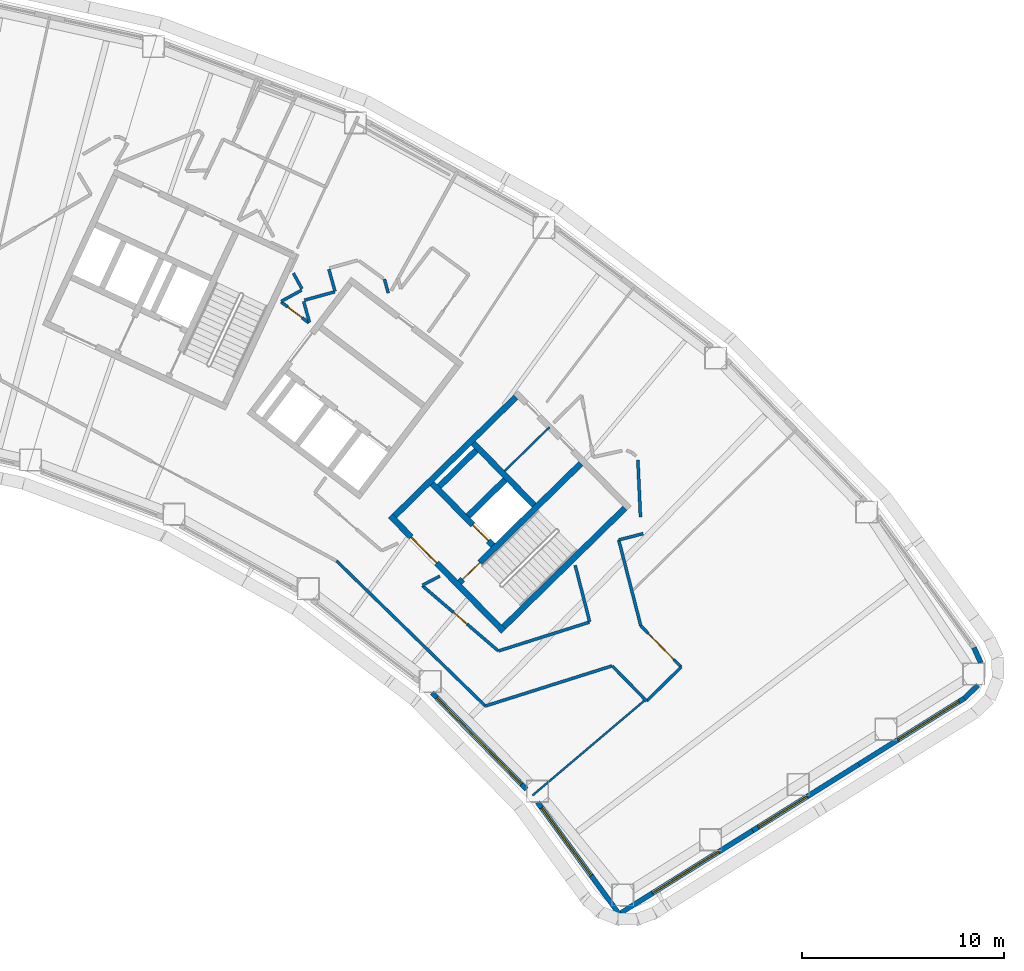
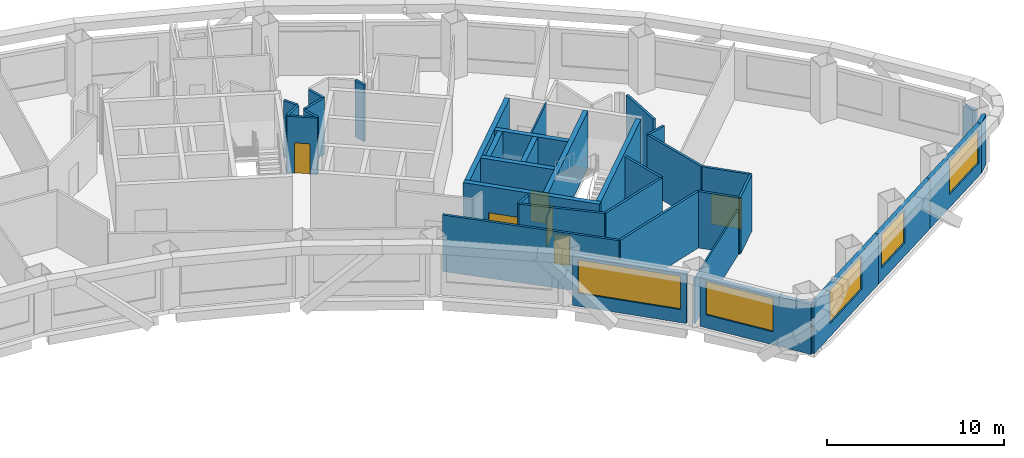
# One storey, part 7 of 16: 36 walls, 6 doors, 5 windows, 11 openings.
"""IFC4 building model written with IfcOpenShell, lengths in metres."""

from ifc_helpers import new_model, si_unit, direction, frame, frame_2d, origin, place, context, subcontext, project, spatial, rectangle, extrude, material, layer, layer_set, type_object, element, fill, save


model = new_model("IFC4")

# Units and contexts
model_context = context("Model", 3, precision=1e-05, world=origin(), true_north=direction((0.0, 1.0)))
body_context = subcontext(model_context, "Body", "Model", "MODEL_VIEW")
ifc_project = project(units=[si_unit("LENGTHUNIT", "METRE"), si_unit("AREAUNIT", "SQUARE_METRE"), si_unit("VOLUMEUNIT", "CUBIC_METRE"), si_unit("PLANEANGLEUNIT", "RADIAN"), si_unit("MASSUNIT", "GRAM", prefix="KILO")], contexts=[model_context])

# Site, building, storey
site_placement = place(None, origin())
site = spatial("IfcSite", under=ifc_project, at=site_placement, CompositionType="ELEMENT")
building_placement = place(site_placement, origin())
building = spatial("IfcBuilding", under=site, at=building_placement, Name="Tuul Gate Civic Tower", CompositionType="ELEMENT")
storey_placement = place(building_placement, frame((0.0, 0.0, 124.5)))
storey = spatial("IfcBuildingStorey", under=building, at=storey_placement, Name="Level 28", CompositionType="ELEMENT", Elevation=124.5)

# Wall, opening, door
ifc_material_1 = material(Name="Concrete C50/60", Category="concrete")
ifc_layer_1 = layer(ifc_material_1, 0.300048828125)
ifc_layer_set_1 = layer_set([ifc_layer_1], Name="Concrete C50/60")
wall_type_1 = type_object("IfcWallType", Name="Core wall C50/60", PredefinedType="SHEAR", material=ifc_layer_set_1)
wall_1_placement = place(storey_placement, frame((48.22509765625, -18.327880859375, 0.0), z_axis=(0.0, 0.0, 1.0), x_axis=(-0.700021979774, 0.714121297703, 0.0)))
wall_1 = element("IfcWall", 1, at=wall_1_placement, inside=storey, type_object=wall_type_1, Name="Core wall", PredefinedType="SHEAR", context=body_context, shape_type="SweptSolid", body=[
    extrude(rectangle(XDim=8.0, YDim=0.300048828125, at=frame_2d((4.0, 0.0))), origin(), (0.0, 0.0, 1.0), 3.89990234375),
])
opening_1_placement = place(wall_1_placement, frame((4.72509765625, 0.0, 0.0)))
opening_1 = element("IfcOpeningElement", 2, at=opening_1_placement, cuts=wall_1, Name="Opening LB-E1-LOBBY-1", PredefinedType="OPENING", context=body_context, shape_type="SweptSolid", body=[
    extrude(rectangle(XDim=1.800048828125, YDim=2.10009765625, at=frame_2d((0.89990234375, 1.050048828125))), frame((0.0, 0.16015625, 0.0), z_axis=(0.0, -1.0, 0.0), x_axis=(1.0, 0.0, 0.0)), (0.0, 0.0, 1.0), 0.320068359375),
])
ifc_material_2 = material(Name="Steel", Category="steel")
door_type_1 = type_object("IfcDoorType", Name="Lobby door", OperationType="DOUBLE_DOOR_SINGLE_SWING", PredefinedType="DOOR", material=ifc_material_2)
door_1_placement = place(opening_1_placement, frame((1.800048828125, 0.0, 0.0), z_axis=(0.0, 0.0, 1.0), x_axis=(-1.0, 0.0, 0.0)))
door_1 = element("IfcDoor", 3, at=door_1_placement, inside=storey, type_object=door_type_1, Name="Lobby door E1-LOBBY", OperationType="DOUBLE_DOOR_SINGLE_SWING", OverallHeight=2.10009765625, OverallWidth=1.800048828125, PredefinedType="DOOR", context=body_context, shape_type="SweptSolid", body=[
    extrude(rectangle(XDim=1.800048828125, YDim=2.10009765625, at=frame_2d((0.900146484375, 1.050048828125))), frame((0.0, 0.02490234375, 0.0), z_axis=(0.0, -1.0, 0.0), x_axis=(1.0, 0.0, 0.0)), (0.0, 0.0, 1.0), 0.050048828125),
])
fill(opening_1, door_1)

wall_2_placement = place(storey_placement, frame((47.701904296875, -14.079833984375, 0.0), z_axis=(0.0, 0.0, 1.0), x_axis=(-0.700002721075, 0.714140175657, 0.0)))
wall_2 = element("IfcWall", 4, at=wall_2_placement, inside=storey, type_object=wall_type_1, Name="Core wall", PredefinedType="SHEAR", context=body_context, shape_type="SweptSolid", body=[
    extrude(rectangle(XDim=4.300048828125, YDim=0.300048828125, at=frame_2d((2.14990234375, 0.0))), origin(), (0.0, 0.0, 1.0), 3.89990234375),
])
opening_2_placement = place(wall_2_placement, frame((0.324951171875, 0.0, 0.0)))
opening_2 = element("IfcOpeningElement", 5, at=opening_2_placement, cuts=wall_2, Name="Opening LD-L4", PredefinedType="OPENING", context=body_context, shape_type="SweptSolid", body=[
    extrude(rectangle(XDim=1.10009765625, YDim=2.10009765625, at=frame_2d((0.550048828125, 1.050048828125))), frame((0.0, 0.16015625, 0.0), z_axis=(0.0, -1.0, 0.0), x_axis=(1.0, 0.0, 0.0)), (0.0, 0.0, 1.0), 0.320068359375),
])
ifc_material_3 = material(Name="Stainless steel", Category="steel")
door_type_2 = type_object("IfcDoorType", Name="Landing door", OperationType="DOUBLE_DOOR_SLIDING", PredefinedType="DOOR", material=ifc_material_3)
door_2_placement = place(opening_2_placement, origin())
door_2 = element("IfcDoor", 6, at=door_2_placement, inside=storey, type_object=door_type_2, Name="Low-rise lift L4 landing door", OperationType="DOUBLE_DOOR_SLIDING", OverallHeight=2.10009765625, OverallWidth=1.10009765625, PredefinedType="DOOR", context=body_context, shape_type="SweptSolid", body=[
    extrude(rectangle(XDim=1.10009765625, YDim=2.10009765625, at=frame_2d((0.550048828125, 1.050048828125))), frame((0.0, 0.02490234375, 0.0), z_axis=(0.0, -1.0, 0.0), x_axis=(1.0, 0.0, 0.0)), (0.0, 0.0, 1.0), 0.050048828125),
])
fill(opening_2, door_2)

# Walls
wall_3_placement = place(storey_placement, frame((49.737060546875, -12.0849609375, 0.0), z_axis=(0.0, 0.0, 1.0), x_axis=(-0.700002721075, 0.714140175657, 0.0)))
element("IfcWall", 7, at=wall_3_placement, inside=storey, type_object=wall_type_1, Name="Core wall", PredefinedType="SHEAR", context=body_context, shape_type="SweptSolid", body=[
    extrude(rectangle(XDim=4.300048828125, YDim=0.300048828125, at=frame_2d((2.14990234375, 0.0))), origin(), (0.0, 0.0, 1.0), 3.89990234375),
])
wall_4_placement = place(storey_placement, frame((48.227294921875, -18.115966796875, 0.0), z_axis=(0.0, 0.0, 1.0), x_axis=(0.714105315431, 0.700038283577, 0.0)))
element("IfcWall", 8, at=wall_4_placement, inside=storey, type_object=wall_type_1, Name="Core wall", PredefinedType="SHEAR", context=body_context, shape_type="SweptSolid", body=[
    extrude(rectangle(XDim=8.400146484375, YDim=0.300048828125, at=frame_2d((4.2001953125, 0.0))), origin(), (0.0, 0.0, 1.0), 3.89990234375),
])

# Wall, opening, door
wall_5_placement = place(storey_placement, frame((46.05712890625, -15.902099609375, 0.0), z_axis=(0.0, 0.0, 1.0), x_axis=(0.714134086973, 0.700008932674, 0.0)))
wall_5 = element("IfcWall", 9, at=wall_5_placement, inside=storey, type_object=wall_type_1, Name="Core wall", PredefinedType="SHEAR", context=body_context, shape_type="SweptSolid", body=[
    extrude(rectangle(XDim=8.400146484375, YDim=0.300048828125, at=frame_2d((4.2001953125, 0.0))), origin(), (0.0, 0.0, 1.0), 3.89990234375),
])
opening_3_placement = place(wall_5_placement, frame((0.199951171875, 0.0, 0.0)))
opening_3 = element("IfcOpeningElement", 10, at=opening_3_placement, cuts=wall_5, Name="Opening SD-ST-3", PredefinedType="OPENING", context=body_context, shape_type="SweptSolid", body=[
    extrude(rectangle(XDim=1.199951171875, YDim=2.10009765625, at=frame_2d((0.60009765625, 1.050048828125))), frame((0.0, 0.16015625, 0.0), z_axis=(0.0, -1.0, 0.0), x_axis=(1.0, 0.0, 0.0)), (0.0, 0.0, 1.0), 0.320068359375),
])
ifc_material_4 = material(Name="Steel", Category="steel")
door_type_3 = type_object("IfcDoorType", Name="Stair door", OperationType="NOTDEFINED", PredefinedType="DOOR", material=ifc_material_4)
door_3_placement = place(opening_3_placement, origin())
door_3 = element("IfcDoor", 11, at=door_3_placement, inside=storey, type_object=door_type_3, Name="Stair door ST-3", OperationType="SINGLE_SWING_LEFT", OverallHeight=2.10009765625, OverallWidth=1.199951171875, PredefinedType="DOOR", context=body_context, shape_type="SweptSolid", body=[
    extrude(rectangle(XDim=1.199951171875, YDim=2.10009765625, at=frame_2d((0.60009765625, 1.050048828125))), frame((0.0, 0.02490234375, 0.0), z_axis=(0.0, -1.0, 0.0), x_axis=(1.0, 0.0, 0.0)), (0.0, 0.0, 1.0), 0.050048828125),
])
fill(opening_3, door_3)

# Walls
wall_6_placement = place(storey_placement, frame((46.47900390625, -12.617919921875, 0.0), z_axis=(0.0, 0.0, 1.0), x_axis=(0.71410944159, 0.700034074479, 0.0)))
element("IfcWall", 12, at=wall_6_placement, inside=storey, type_object=wall_type_1, Name="Core wall", PredefinedType="SHEAR", context=body_context, shape_type="SweptSolid", body=[
    extrude(rectangle(XDim=2.5498046875, YDim=0.300048828125, at=frame_2d((1.27490234375, 0.0))), origin(), (0.0, 0.0, 1.0), 3.89990234375),
])
wall_7_placement = place(storey_placement, frame((45.0439453125, -11.154052734375, 0.0), z_axis=(0.0, 0.0, 1.0), x_axis=(0.714108498262, 0.700035036773, 0.0)))
element("IfcWall", 13, at=wall_7_placement, inside=storey, type_object=wall_type_1, Name="Core wall", PredefinedType="SHEAR", context=body_context, shape_type="SweptSolid", body=[
    extrude(rectangle(XDim=2.550048828125, YDim=0.300048828125, at=frame_2d((1.27490234375, 0.0))), origin(), (0.0, 0.0, 1.0), 3.89990234375),
])
wall_8_placement = place(storey_placement, frame((42.837158203125, -12.616943359375, 0.0), z_axis=(0.0, 0.0, 1.0), x_axis=(0.714119844755, 0.700023461983, 0.0)))
element("IfcWall", 14, at=wall_8_placement, inside=storey, type_object=wall_type_1, Name="Core wall", PredefinedType="SHEAR", context=body_context, shape_type="SweptSolid", body=[
    extrude(rectangle(XDim=8.39990234375, YDim=0.300048828125, at=frame_2d((4.199951171875, 0.0))), origin(), (0.0, 0.0, 1.0), 3.89990234375),
])
ifc_material_5 = material(Name="Gypsum board partition")
ifc_layer_2 = layer(ifc_material_5, 0.14990234375)
ifc_layer_set_2 = layer_set([ifc_layer_2], Name="Gypsum board partition")
wall_type_2 = type_object("IfcWallType", Name="Corridor wall P150", PredefinedType="PARTITIONING", material=ifc_layer_set_2)
wall_9_placement = place(storey_placement, frame((53.606689453125, -20.04541015625, 0.0), z_axis=(0.0, 0.0, 1.0), x_axis=(0.700029162703, -0.71411425652, 0.0)))
element("IfcWall", 15, at=wall_9_placement, inside=storey, type_object=wall_type_2, Name="p003", PredefinedType="PARTITIONING", context=body_context, shape_type="SweptSolid", body=[
    extrude(rectangle(XDim=2.4267578125, YDim=0.14990234375, at=frame_2d((1.21337890625, 0.0))), origin(), (0.0, 0.0, 1.0), 3.89990234375),
])
wall_10_placement = place(storey_placement, frame((55.305419921875, -21.7783203125, 0.0), z_axis=(0.0, 0.0, 1.0), x_axis=(0.714090786391, 0.700053104265, 0.0)))
element("IfcWall", 16, at=wall_10_placement, inside=storey, type_object=wall_type_2, Name="p004", PredefinedType="PARTITIONING", context=body_context, shape_type="SweptSolid", body=[
    extrude(rectangle(XDim=2.400146484375, YDim=0.14990234375, at=frame_2d((1.2001953125, 0.0))), origin(), (0.0, 0.0, 1.0), 3.89990234375),
])

# Wall, opening, door
wall_11_placement = place(storey_placement, frame((55.021484375, -18.059326171875, 0.0), z_axis=(0.0, 0.0, 1.0), x_axis=(0.699885825208, -0.714254738642, 0.0)))
wall_11 = element("IfcWall", 17, at=wall_11_placement, inside=storey, type_object=wall_type_2, Name="p005", PredefinedType="PARTITIONING", context=body_context, shape_type="SweptSolid", body=[
    extrude(rectangle(XDim=2.8544921875, YDim=0.14990234375, at=frame_2d((1.42724609375, 0.0))), origin(), (0.0, 0.0, 1.0), 3.89990234375),
])
opening_4_placement = place(wall_11_placement, frame((0.52734375, 0.0, 0.0)))
opening_4 = element("IfcOpeningElement", 18, at=opening_4_placement, cuts=wall_11, Name="Opening I-D01", PredefinedType="OPENING", context=body_context, shape_type="SweptSolid", body=[
    extrude(rectangle(XDim=1.800048828125, YDim=2.10009765625, at=frame_2d((0.89990234375, 1.050048828125))), frame((0.0, 0.0849609375, 0.0), z_axis=(0.0, -1.0, 0.0), x_axis=(1.0, 0.0, 0.0)), (0.0, 0.0, 1.0), 0.169921875),
])
ifc_material_6 = material(Name="Timber door leaf, double", Category="wood")
door_type_4 = type_object("IfcDoorType", Name="Door D18", OperationType="DOUBLE_DOOR_SINGLE_SWING", PredefinedType="DOOR", material=ifc_material_6)
door_4_placement = place(opening_4_placement, origin())
door_4 = element("IfcDoor", 19, at=door_4_placement, inside=storey, type_object=door_type_4, Name="Door I-D01", OperationType="DOUBLE_DOOR_SINGLE_SWING", OverallHeight=2.10009765625, OverallWidth=1.800048828125, PredefinedType="DOOR", context=body_context, shape_type="SweptSolid", body=[
    extrude(rectangle(XDim=1.800048828125, YDim=2.10009765625, at=frame_2d((0.89990234375, 1.050048828125))), frame((0.0, 0.02490234375, 0.0), z_axis=(0.0, -1.0, 0.0), x_axis=(1.0, 0.0, 0.0)), (0.0, 0.0, 1.0), 0.050048828125),
])
fill(opening_4, door_4)

# Walls
wall_12_placement = place(storey_placement, frame((53.925048828125, -13.805908203125, 0.0), z_axis=(0.0, 0.0, 1.0), x_axis=(0.249340898123, -0.96841577668, 0.0)))
element("IfcWall", 20, at=wall_12_placement, inside=storey, type_object=wall_type_2, Name="p007", PredefinedType="PARTITIONING", context=body_context, shape_type="SweptSolid", body=[
    extrude(rectangle(XDim=4.385498046875, YDim=0.14990234375, at=frame_2d((2.19287109375, 0.0))), origin(), (0.0, 0.0, 1.0), 3.89990234375),
])
wall_13_placement = place(storey_placement, frame((53.925048828125, -13.805908203125, 0.0), z_axis=(0.0, 0.0, 1.0), x_axis=(0.968403908325, 0.249386989116, 0.0)))
element("IfcWall", 21, at=wall_13_placement, inside=storey, type_object=wall_type_2, Name="p009", PredefinedType="PARTITIONING", context=body_context, shape_type="SweptSolid", body=[
    extrude(rectangle(XDim=1.248291015625, YDim=0.14990234375, at=frame_2d((0.6240234375, 0.0))), origin(), (0.0, 0.0, 1.0), 3.89990234375),
])
wall_14_placement = place(storey_placement, frame((54.8740234375, -9.8525390625, 0.0), z_axis=(0.0, 0.0, 1.0), x_axis=(0.045149211291, -0.998980254419, 0.0)))
element("IfcWall", 22, at=wall_14_placement, inside=storey, type_object=wall_type_2, Name="p010", PredefinedType="PARTITIONING", context=body_context, shape_type="SweptSolid", body=[
    extrude(rectangle(XDim=2.828125, YDim=0.14990234375, at=frame_2d((1.4140625, 0.0))), origin(), (0.0, 0.0, 1.0), 3.89990234375),
])

# Wall, opening, door
wall_15_placement = place(storey_placement, frame((44.21533203125, -16.0771484375, 0.0), z_axis=(0.0, 0.0, 1.0), x_axis=(0.75864895936, -0.65149962123, 0.0)))
wall_15 = element("IfcWall", 23, at=wall_15_placement, inside=storey, type_object=wall_type_2, Name="p017", PredefinedType="PARTITIONING", context=body_context, shape_type="SweptSolid", body=[
    extrude(rectangle(XDim=4.9375, YDim=0.14990234375, at=frame_2d((2.46875, 0.0))), origin(), (0.0, 0.0, 1.0), 3.89990234375),
])
opening_5_placement = place(wall_15_placement, frame((2.018798828125, 0.0, 0.0)))
opening_5 = element("IfcOpeningElement", 24, at=opening_5_placement, cuts=wall_15, Name="Opening I-D24", PredefinedType="OPENING", context=body_context, shape_type="SweptSolid", body=[
    extrude(rectangle(XDim=0.89990234375, YDim=2.10009765625, at=frame_2d((0.449951171875, 1.050048828125))), frame((0.0, 0.0849609375, 0.0), z_axis=(0.0, -1.0, 0.0), x_axis=(1.0, 0.0, 0.0)), (0.0, 0.0, 1.0), 0.169921875),
])
ifc_material_7 = material(Name="Timber door leaf", Category="wood")
door_type_5 = type_object("IfcDoorType", Name="Door D09", OperationType="NOTDEFINED", PredefinedType="DOOR", material=ifc_material_7)
door_5_placement = place(opening_5_placement, origin())
door_5 = element("IfcDoor", 25, at=door_5_placement, inside=storey, type_object=door_type_5, Name="Door I-D24", OperationType="SINGLE_SWING_RIGHT", OverallHeight=2.10009765625, OverallWidth=0.89990234375, PredefinedType="DOOR", context=body_context, shape_type="SweptSolid", body=[
    extrude(rectangle(XDim=0.89990234375, YDim=2.10009765625, at=frame_2d((0.449951171875, 1.050048828125))), frame((0.0, 0.02490234375, 0.0), z_axis=(0.0, -1.0, 0.0), x_axis=(1.0, 0.0, 0.0)), (0.0, 0.0, 1.0), 0.050048828125),
])
fill(opening_5, door_5)

# Walls
wall_16_placement = place(storey_placement, frame((42.330078125, -0.8974609375, 0.0), z_axis=(0.0, 0.0, 1.0), x_axis=(0.266606269346, -0.963805528696, 0.0)))
element("IfcWall", 26, at=wall_16_placement, inside=storey, type_object=wall_type_2, Name="p026", PredefinedType="PARTITIONING", context=body_context, shape_type="SweptSolid", body=[
    extrude(rectangle(XDim=0.716064453125, YDim=0.14990234375, at=frame_2d((0.35791015625, 0.0))), origin(), (0.0, 0.0, 1.0), 3.89990234375),
])
wall_17_placement = place(storey_placement, frame((38.36865234375, -1.9404296875, 0.0), z_axis=(0.0, 0.0, 1.0), x_axis=(0.963849690033, 0.266446570674, 0.0)))
element("IfcWall", 27, at=wall_17_placement, inside=storey, type_object=wall_type_2, Name="p028", PredefinedType="PARTITIONING", context=body_context, shape_type="SweptSolid", body=[
    extrude(rectangle(XDim=1.556884765625, YDim=0.14990234375, at=frame_2d((0.7783203125, 0.0))), origin(), (0.0, 0.0, 1.0), 3.89990234375),
])
wall_18_placement = place(storey_placement, frame((39.581298828125, -0.4130859375, 0.0), z_axis=(0.0, 0.0, 1.0), x_axis=(0.267487722037, -0.963561268711, 0.0)))
element("IfcWall", 28, at=wall_18_placement, inside=storey, type_object=wall_type_2, Name="p032", PredefinedType="PARTITIONING", context=body_context, shape_type="SweptSolid", body=[
    extrude(rectangle(XDim=1.129150390625, YDim=0.14990234375, at=frame_2d((0.564453125, 0.0))), origin(), (0.0, 0.0, 1.0), 3.89990234375),
])
wall_19_placement = place(storey_placement, frame((38.33349609375, -2.00244140625, 0.0), z_axis=(0.0, 0.0, 1.0), x_axis=(0.266554641919, -0.9638198083, 0.0)))
element("IfcWall", 29, at=wall_19_placement, inside=storey, type_object=wall_type_2, Name="p033", PredefinedType="PARTITIONING", context=body_context, shape_type="SweptSolid", body=[
    extrude(rectangle(XDim=1.0751953125, YDim=0.14990234375, at=frame_2d((0.53759765625, 0.0))), origin(), (0.0, 0.0, 1.0), 3.89990234375),
])

# Wall, opening, door
wall_20_placement = place(storey_placement, frame((37.220703125, -2.031005859375, 0.0), z_axis=(0.0, 0.0, 1.0), x_axis=(0.7990577732, -0.601254251617, 0.0)))
wall_20 = element("IfcWall", 30, at=wall_20_placement, inside=storey, type_object=wall_type_2, Name="p034", PredefinedType="PARTITIONING", context=body_context, shape_type="SweptSolid", body=[
    extrude(rectangle(XDim=1.7119140625, YDim=0.14990234375, at=frame_2d((0.85595703125, 0.0))), origin(), (0.0, 0.0, 1.0), 3.89990234375),
])
opening_6_placement = place(wall_20_placement, frame((0.406005859375, 0.0, 0.0)))
opening_6 = element("IfcOpeningElement", 31, at=opening_6_placement, cuts=wall_20, Name="Opening I-D05", PredefinedType="OPENING", context=body_context, shape_type="SweptSolid", body=[
    extrude(rectangle(XDim=0.89990234375, YDim=2.10009765625, at=frame_2d((0.449951171875, 1.050048828125))), frame((0.0, 0.0849609375, 0.0), z_axis=(0.0, -1.0, 0.0), x_axis=(1.0, 0.0, 0.0)), (0.0, 0.0, 1.0), 0.169921875),
])
door_6_placement = place(opening_6_placement, frame((0.89990234375, 0.0, 0.0), z_axis=(0.0, 0.0, 1.0), x_axis=(-1.0, 0.0, 0.0)))
door_6 = element("IfcDoor", 32, at=door_6_placement, inside=storey, type_object=door_type_5, Name="Door I-D05", OperationType="SINGLE_SWING_RIGHT", OverallHeight=2.10009765625, OverallWidth=0.89990234375, PredefinedType="DOOR", context=body_context, shape_type="SweptSolid", body=[
    extrude(rectangle(XDim=0.89990234375, YDim=2.10009765625, at=frame_2d((0.449951171875, 1.050048828125))), frame((0.0, 0.02490234375, 0.0), z_axis=(0.0, -1.0, 0.0), x_axis=(1.0, 0.0, 0.0)), (0.0, 0.0, 1.0), 0.050048828125),
])
fill(opening_6, door_6)

# Walls
wall_21_placement = place(storey_placement, frame((37.22314453125, -1.996826171875, 0.0), z_axis=(0.0, 0.0, 1.0), x_axis=(0.877732608453, 0.479150778, 0.0)))
element("IfcWall", 33, at=wall_21_placement, inside=storey, type_object=wall_type_2, Name="p035", PredefinedType="PARTITIONING", context=body_context, shape_type="SweptSolid", body=[
    extrude(rectangle(XDim=1.1455078125, YDim=0.14990234375, at=frame_2d((0.57275390625, 0.0))), origin(), (0.0, 0.0, 1.0), 3.89990234375),
])
wall_22_placement = place(storey_placement, frame((37.825439453125, -0.6044921875, 0.0), z_axis=(0.0, 0.0, 1.0), x_axis=(0.479103917835, -0.877758187609, 0.0)))
element("IfcWall", 34, at=wall_22_placement, inside=storey, type_object=wall_type_2, Name="p037", PredefinedType="PARTITIONING", context=body_context, shape_type="SweptSolid", body=[
    extrude(rectangle(XDim=0.883056640625, YDim=0.14990234375, at=frame_2d((0.44140625, 0.0))), origin(), (0.0, 0.0, 1.0), 3.89990234375),
])
wall_23_placement = place(storey_placement, frame((39.96142578125, -14.844482421875, 0.0), z_axis=(0.0, 0.0, 1.0), x_axis=(0.715894523592, -0.69820844387, 0.0)))
element("IfcWall", 35, at=wall_23_placement, inside=storey, type_object=wall_type_2, Name="p096", PredefinedType="PARTITIONING", context=body_context, shape_type="SweptSolid", body=[
    extrude(rectangle(XDim=10.2841796875, YDim=0.14990234375, at=frame_2d((5.14208984375, 0.0))), origin(), (0.0, 0.0, 1.0), 3.89990234375),
])
wall_24_placement = place(storey_placement, frame((47.32373046875, -22.02490234375, 0.0), z_axis=(0.0, 0.0, 1.0), x_axis=(0.953300538837, 0.30202331475, 0.0)))
element("IfcWall", 36, at=wall_24_placement, inside=storey, type_object=wall_type_2, Name="p097", PredefinedType="PARTITIONING", context=body_context, shape_type="SweptSolid", body=[
    extrude(rectangle(XDim=6.5751953125, YDim=0.14990234375, at=frame_2d((3.28759765625, 0.0))), origin(), (0.0, 0.0, 1.0), 3.89990234375),
])
wall_25_placement = place(storey_placement, frame((51.7705078125, -15.063720703125, 0.0), z_axis=(0.0, 0.0, 1.0), x_axis=(0.249418560163, -0.968395777483, 0.0)))
element("IfcWall", 37, at=wall_25_placement, inside=storey, type_object=wall_type_2, Name="p101", PredefinedType="PARTITIONING", context=body_context, shape_type="SweptSolid", body=[
    extrude(rectangle(XDim=2.876708984375, YDim=0.14990234375, at=frame_2d((1.4384765625, 0.0))), origin(), (0.0, 0.0, 1.0), 3.89990234375),
])
wall_26_placement = place(storey_placement, frame((47.981201171875, -19.298583984375, 0.0), z_axis=(0.0, 0.0, 1.0), x_axis=(0.953261936145, 0.302145132507, 0.0)))
element("IfcWall", 38, at=wall_26_placement, inside=storey, type_object=wall_type_2, Name="p102", PredefinedType="PARTITIONING", context=body_context, shape_type="SweptSolid", body=[
    extrude(rectangle(XDim=4.713134765625, YDim=0.14990234375, at=frame_2d((2.3564453125, 0.0))), origin(), (0.0, 0.0, 1.0), 3.89990234375),
])
wall_27_placement = place(storey_placement, frame((44.218505859375, -16.0439453125, 0.0), z_axis=(0.0, 0.0, 1.0), x_axis=(0.88566723658, 0.464320520814, 0.0)))
element("IfcWall", 39, at=wall_27_placement, inside=storey, type_object=wall_type_2, Name="p103", PredefinedType="PARTITIONING", context=body_context, shape_type="SweptSolid", body=[
    extrude(rectangle(XDim=0.960205078125, YDim=0.14990234375, at=frame_2d((0.47998046875, 0.0))), origin(), (0.0, 0.0, 1.0), 3.89990234375),
])
ifc_material_8 = material(Name="Precast concrete C40/50", Category="concrete")
ifc_layer_3 = layer(ifc_material_8, 0.25)
ifc_layer_set_3 = layer_set([ifc_layer_3], Name="Precast concrete C40/50")
wall_type_3 = type_object("IfcWallType", Name="External wall", PredefinedType="STANDARD", material=ifc_layer_set_3)
wall_28_placement = place(storey_placement, frame((71.01953125, -21.65478515625, 0.0), z_axis=(0.0, 0.0, 1.0), x_axis=(0.721494337976, 0.692420334961, 0.0)))
element("IfcWall", 40, at=wall_28_placement, inside=storey, type_object=wall_type_3, Name="External wall", PredefinedType="STANDARD", context=body_context, shape_type="SweptSolid", body=[
    extrude(rectangle(XDim=0.957275390625, YDim=0.25, at=frame_2d((0.478515625, 0.0))), origin(), (0.0, 0.0, 1.0), 3.449951171875),
])

# Wall, opening, window
wall_29_placement = place(storey_placement, frame((44.679931640625, -21.366943359375, 0.0), z_axis=(0.0, 0.0, 1.0), x_axis=(0.700023947057, -0.714119369256, 0.0)))
wall_29 = element("IfcWall", 41, at=wall_29_placement, inside=storey, type_object=wall_type_3, Name="External wall", PredefinedType="STANDARD", context=body_context, shape_type="SweptSolid", body=[
    extrude(rectangle(XDim=6.685791015625, YDim=0.25, at=frame_2d((3.3427734375, 0.0))), origin(), (0.0, 0.0, 1.0), 3.449951171875),
])
opening_7_placement = place(wall_29_placement, frame((0.343994140625, 0.0, 0.89990234375)))
opening_7 = element("IfcOpeningElement", 42, at=opening_7_placement, cuts=wall_29, Name="Opening W26", PredefinedType="OPENING", context=body_context, shape_type="SweptSolid", body=[
    extrude(rectangle(XDim=6.0, YDim=2.300048828125, at=frame_2d((3.0, 1.14990234375))), frame((0.0, 0.135009765625, 0.0), z_axis=(0.0, -1.0, 0.0), x_axis=(1.0, 0.0, 0.0)), (0.0, 0.0, 1.0), 0.27001953125),
])
ifc_material_9 = material(Name="Glass", Category="glass")
window_type_1 = type_object("IfcWindowType", Name="Window W26 6000 x 2300", PartitioningType="SINGLE_PANEL", PredefinedType="WINDOW", material=ifc_material_9)
window_1_placement = place(opening_7_placement, origin())
window_1 = element("IfcWindow", 43, at=window_1_placement, inside=storey, type_object=window_type_1, Name="Window", OverallHeight=2.300048828125, OverallWidth=6.0, PartitioningType="SINGLE_PANEL", PredefinedType="WINDOW", context=body_context, shape_type="SweptSolid", body=[
    extrude(rectangle(XDim=6.0, YDim=2.300048828125, at=frame_2d((3.0, 1.14990234375))), frame((0.0, 0.030029296875, 0.0), z_axis=(0.0, -1.0, 0.0), x_axis=(1.0, 0.0, 0.0)), (0.0, 0.0, 1.0), 0.06005859375),
])
fill(opening_7, window_1)

wall_30_placement = place(storey_placement, frame((49.9091796875, -26.7880859375, 0.0), z_axis=(0.0, 0.0, 1.0), x_axis=(0.589741263703, -0.807592249769, 0.0)))
wall_30 = element("IfcWall", 44, at=wall_30_placement, inside=storey, type_object=wall_type_3, Name="External wall", PredefinedType="STANDARD", context=body_context, shape_type="SweptSolid", body=[
    extrude(rectangle(XDim=6.848388671875, YDim=0.25, at=frame_2d((3.42431640625, 0.0))), origin(), (0.0, 0.0, 1.0), 3.449951171875),
])
opening_8_placement = place(wall_30_placement, frame((0.341796875, 0.0, 0.89990234375)))
opening_8 = element("IfcOpeningElement", 45, at=opening_8_placement, cuts=wall_30, Name="Opening W25", PredefinedType="OPENING", context=body_context, shape_type="SweptSolid", body=[
    extrude(rectangle(XDim=4.14990234375, YDim=2.300048828125, at=frame_2d((2.074951171875, 1.14990234375))), frame((0.0, 0.135009765625, 0.0), z_axis=(0.0, -1.0, 0.0), x_axis=(1.0, 0.0, 0.0)), (0.0, 0.0, 1.0), 0.27001953125),
])
ifc_material_10 = material(Name="Glass", Category="glass")
window_type_2 = type_object("IfcWindowType", Name="Window W25 4150 x 2300", PartitioningType="SINGLE_PANEL", PredefinedType="WINDOW", material=ifc_material_10)
window_2_placement = place(opening_8_placement, origin())
window_2 = element("IfcWindow", 46, at=window_2_placement, inside=storey, type_object=window_type_2, Name="Window", OverallHeight=2.300048828125, OverallWidth=4.14990234375, PartitioningType="SINGLE_PANEL", PredefinedType="WINDOW", context=body_context, shape_type="SweptSolid", body=[
    extrude(rectangle(XDim=4.14990234375, YDim=2.300048828125, at=frame_2d((2.074951171875, 1.14990234375))), frame((0.0, 0.030029296875, 0.0), z_axis=(0.0, -1.0, 0.0), x_axis=(1.0, 0.0, 0.0)), (0.0, 0.0, 1.0), 0.06005859375),
])
fill(opening_8, window_2)

wall_31_placement = place(storey_placement, frame((53.947998046875, -32.31884765625, 0.0), z_axis=(0.0, 0.0, 1.0), x_axis=(0.848051131154, 0.529914407191, 0.0)))
wall_31 = element("IfcWall", 47, at=wall_31_placement, inside=storey, type_object=wall_type_3, Name="External wall", PredefinedType="STANDARD", context=body_context, shape_type="SweptSolid", body=[
    extrude(rectangle(XDim=7.788330078125, YDim=0.25, at=frame_2d((3.89404296875, 0.0))), origin(), (0.0, 0.0, 1.0), 3.449951171875),
])
opening_9_placement = place(wall_31_placement, frame((1.944091796875, 0.0, 0.89990234375)))
opening_9 = element("IfcOpeningElement", 48, at=opening_9_placement, cuts=wall_31, Name="Opening W22", PredefinedType="OPENING", context=body_context, shape_type="SweptSolid", body=[
    extrude(rectangle(XDim=3.85009765625, YDim=2.300048828125, at=frame_2d((1.925048828125, 1.14990234375))), frame((0.0, 0.135009765625, 0.0), z_axis=(0.0, -1.0, 0.0), x_axis=(1.0, 0.0, 0.0)), (0.0, 0.0, 1.0), 0.27001953125),
])
ifc_material_11 = material(Name="Glass", Category="glass")
window_type_3 = type_object("IfcWindowType", Name="Window W22 3850 x 2300", PartitioningType="SINGLE_PANEL", PredefinedType="WINDOW", material=ifc_material_11)
window_3_placement = place(opening_9_placement, origin())
window_3 = element("IfcWindow", 49, at=window_3_placement, inside=storey, type_object=window_type_3, Name="Window", OverallHeight=2.300048828125, OverallWidth=3.85009765625, PartitioningType="SINGLE_PANEL", PredefinedType="WINDOW", context=body_context, shape_type="SweptSolid", body=[
    extrude(rectangle(XDim=3.85009765625, YDim=2.300048828125, at=frame_2d((1.925048828125, 1.14990234375))), frame((0.0, 0.030029296875, 0.0), z_axis=(0.0, -1.0, 0.0), x_axis=(1.0, 0.0, 0.0)), (0.0, 0.0, 1.0), 0.06005859375),
])
fill(opening_9, window_3)

wall_32_placement = place(storey_placement, frame((60.552978515625, -28.191650390625, 0.0), z_axis=(0.0, 0.0, 1.0), x_axis=(0.848053758074, 0.529910203164, 0.0)))
wall_32 = element("IfcWall", 50, at=wall_32_placement, inside=storey, type_object=wall_type_3, Name="External wall", PredefinedType="STANDARD", context=body_context, shape_type="SweptSolid", body=[
    extrude(rectangle(XDim=6.182861328125, YDim=0.25, at=frame_2d((3.09130859375, 0.0))), origin(), (0.0, 0.0, 1.0), 3.449951171875),
])
opening_10_placement = place(wall_32_placement, frame((0.326904296875, 0.0, 0.89990234375)))
opening_10 = element("IfcOpeningElement", 51, at=opening_10_placement, cuts=wall_32, Name="Opening W68", PredefinedType="OPENING", context=body_context, shape_type="SweptSolid", body=[
    extrude(rectangle(XDim=2.85009765625, YDim=2.300048828125, at=frame_2d((1.425048828125, 1.14990234375))), frame((0.0, 0.135009765625, 0.0), z_axis=(0.0, -1.0, 0.0), x_axis=(1.0, 0.0, 0.0)), (0.0, 0.0, 1.0), 0.27001953125),
])
ifc_material_12 = material(Name="Glass", Category="glass")
window_type_4 = type_object("IfcWindowType", Name="Window 2850 x 2300", PartitioningType="SINGLE_PANEL", PredefinedType="WINDOW", material=ifc_material_12)
window_4_placement = place(opening_10_placement, origin())
window_4 = element("IfcWindow", 52, at=window_4_placement, inside=storey, type_object=window_type_4, Name="Window", OverallHeight=2.300048828125, OverallWidth=2.85009765625, PartitioningType="SINGLE_PANEL", PredefinedType="WINDOW", context=body_context, shape_type="SweptSolid", body=[
    extrude(rectangle(XDim=2.85009765625, YDim=2.300048828125, at=frame_2d((1.425048828125, 1.14990234375))), frame((0.0, 0.030029296875, 0.0), z_axis=(0.0, -1.0, 0.0), x_axis=(1.0, 0.0, 0.0)), (0.0, 0.0, 1.0), 0.06005859375),
])
fill(opening_10, window_4)

wall_33_placement = place(storey_placement, frame((65.79638671875, -24.915283203125, 0.0), z_axis=(0.0, 0.0, 1.0), x_axis=(0.848053758074, 0.529910203164, 0.0)))
wall_33 = element("IfcWall", 53, at=wall_33_placement, inside=storey, type_object=wall_type_3, Name="External wall", PredefinedType="STANDARD", context=body_context, shape_type="SweptSolid", body=[
    extrude(rectangle(XDim=6.182861328125, YDim=0.25, at=frame_2d((3.09130859375, 0.0))), origin(), (0.0, 0.0, 1.0), 3.449951171875),
])
opening_11_placement = place(wall_33_placement, frame((2.30908203125, 0.0, 0.89990234375)))
opening_11 = element("IfcOpeningElement", 54, at=opening_11_placement, cuts=wall_33, Name="Opening W112", PredefinedType="OPENING", context=body_context, shape_type="SweptSolid", body=[
    extrude(rectangle(XDim=3.550048828125, YDim=2.300048828125, at=frame_2d((1.77490234375, 1.14990234375))), frame((0.0, 0.135009765625, 0.0), z_axis=(0.0, -1.0, 0.0), x_axis=(1.0, 0.0, 0.0)), (0.0, 0.0, 1.0), 0.27001953125),
])
ifc_material_13 = material(Name="Glass", Category="glass")
window_type_5 = type_object("IfcWindowType", Name="Window W112 3550 x 2300", PartitioningType="SINGLE_PANEL", PredefinedType="WINDOW", material=ifc_material_13)
window_5_placement = place(opening_11_placement, origin())
window_5 = element("IfcWindow", 55, at=window_5_placement, inside=storey, type_object=window_type_5, Name="Window", OverallHeight=2.300048828125, OverallWidth=3.550048828125, PartitioningType="SINGLE_PANEL", PredefinedType="WINDOW", context=body_context, shape_type="SweptSolid", body=[
    extrude(rectangle(XDim=3.550048828125, YDim=2.300048828125, at=frame_2d((1.77490234375, 1.14990234375))), frame((0.0, 0.030029296875, 0.0), z_axis=(0.0, -1.0, 0.0), x_axis=(1.0, 0.0, 0.0)), (0.0, 0.0, 1.0), 0.06005859375),
])
fill(opening_11, window_5)

# Walls
ifc_material_14 = material(Name="Precast concrete C40/50", Category="concrete")
ifc_layer_4 = layer(ifc_material_14, 0.25)
ifc_layer_set_4 = layer_set([ifc_layer_4], Name="Precast concrete C40/50")
wall_type_4 = type_object("IfcWallType", Name="External wall 3000 HIGH", PredefinedType="STANDARD", material=ifc_layer_set_4)
wall_34_placement = place(storey_placement, frame((71.84765625, -19.89208984375, 0.0), z_axis=(0.0, 0.0, 1.0), x_axis=(-0.412982206982, 0.910739093658, 0.0)))
element("IfcWall", 56, at=wall_34_placement, inside=storey, type_object=wall_type_4, Name="External wall", PredefinedType="STANDARD", context=body_context, shape_type="SweptSolid", body=[
    extrude(rectangle(XDim=0.829345703125, YDim=0.25, at=frame_2d((0.41455078125, 0.0))), origin(), (0.0, 0.0, 1.0), 3.0),
])
ifc_material_15 = material(Name="Gypsum board partition")
ifc_layer_5 = layer(ifc_material_15, 0.10009765625)
ifc_layer_set_5 = layer_set([ifc_layer_5], Name="Gypsum board partition")
wall_type_5 = type_object("IfcWallType", Name="Partition P100", PredefinedType="PARTITIONING", material=ifc_layer_set_5)
wall_35_placement = place(storey_placement, frame((48.28662109375, -10.390869140625, 0.0), z_axis=(0.0, 0.0, 1.0), x_axis=(0.714159293908, 0.699983216173, 0.0)))
element("IfcWall", 57, at=wall_35_placement, inside=storey, type_object=wall_type_5, Name="bE1-BAND-0", PredefinedType="PARTITIONING", context=body_context, shape_type="SweptSolid", body=[
    extrude(rectangle(XDim=3.099853515625, YDim=0.10009765625, at=frame_2d((1.5498046875, 0.0))), origin(), (0.0, 0.0, 1.0), 3.89990234375),
])
ifc_material_16 = material(Name="Gypsum board partition")
ifc_layer_6 = layer(ifc_material_16, 0.10009765625)
ifc_layer_set_6 = layer_set([ifc_layer_6], Name="Gypsum board partition")
wall_type_6 = type_object("IfcWallType", Name="Partition P100 3100 HIGH", PredefinedType="PARTITIONING", material=ifc_layer_set_6)
wall_36_placement = place(storey_placement, frame((49.657470703125, -26.451904296875, 0.0), z_axis=(0.0, 0.0, 1.0), x_axis=(0.762833453099, 0.646595022276, 0.0)))
element("IfcWall", 58, at=wall_36_placement, inside=storey, type_object=wall_type_6, Name="p002", PredefinedType="PARTITIONING", context=body_context, shape_type="SweptSolid", body=[
    extrude(rectangle(XDim=7.323974609375, YDim=0.10009765625, at=frame_2d((3.662109375, 0.0))), origin(), (0.0, 0.0, 1.0), 3.10009765625),
])

save(model, "model.ifc")
